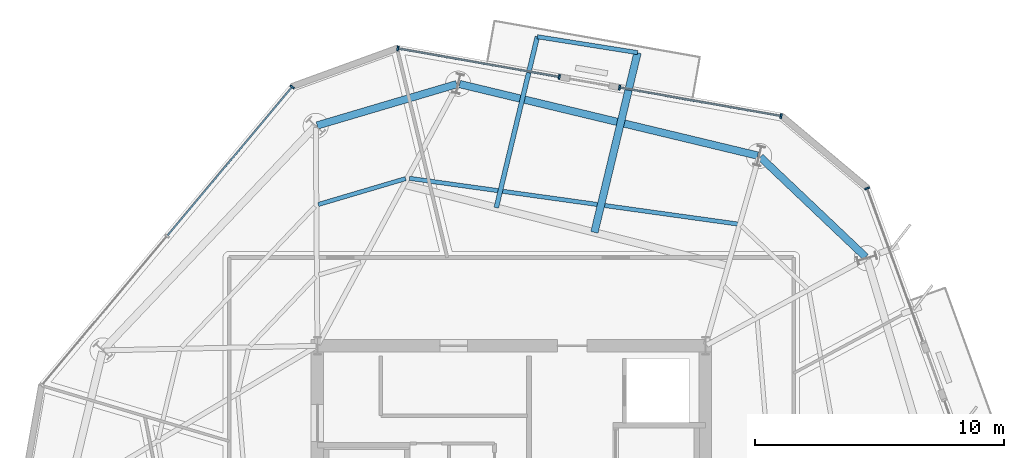
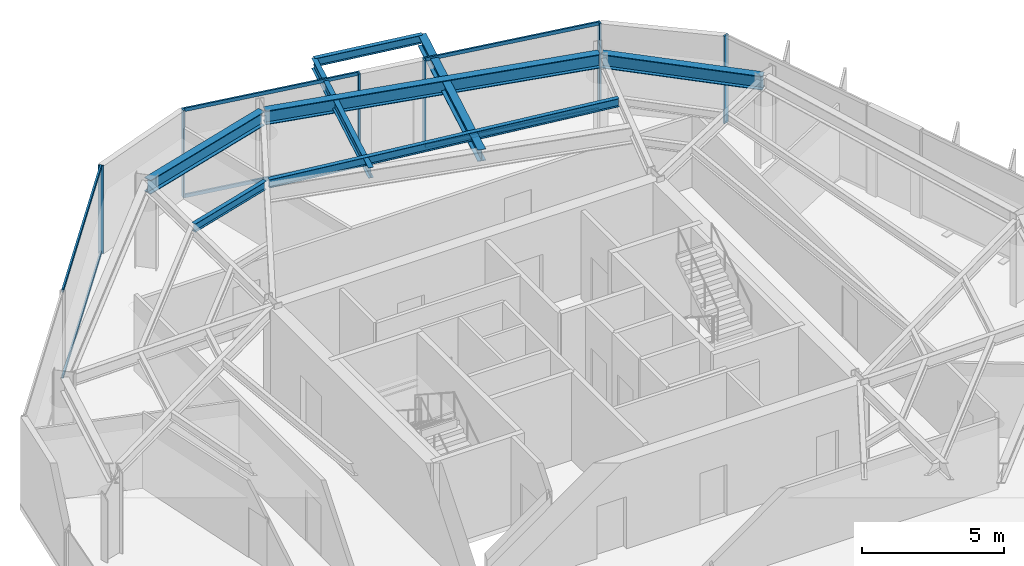
# One storey, part 5 of 11: 12 members, 8 beams, 4 elements without a shape of their own.
"""IFC4 building model written with IfcOpenShell, lengths in metres."""

from ifc_helpers import new_model, si_unit, direction, frame, origin, origin_2d, place, context, subcontext, project, spatial, rectangle, i_section, extrude, material, layer, layer_set, material_profile, profile_set, type_object, element, aggregate, save


model = new_model("IFC4")

# Units and contexts
model_context = context("Model", 3, precision=1e-05, world=origin(), true_north=direction((0.0, 1.0)))
body_context = subcontext(model_context, "Body", "Model", "MODEL_VIEW")
ifc_project = project(units=[si_unit("LENGTHUNIT", "METRE"), si_unit("AREAUNIT", "SQUARE_METRE"), si_unit("VOLUMEUNIT", "CUBIC_METRE"), si_unit("PLANEANGLEUNIT", "RADIAN"), si_unit("MASSUNIT", "GRAM", prefix="KILO")], contexts=[model_context])

# Site, building, storey
site_placement = place(None, origin())
site = spatial("IfcSite", under=ifc_project, at=site_placement, CompositionType="ELEMENT")
building_placement = place(site_placement, origin())
building = spatial("IfcBuilding", under=site, at=building_placement, Name="Kranzbogen Civic Tower", CompositionType="ELEMENT")
storey_placement = place(building_placement, frame((0.0, 0.0, 224.800048828125)))
storey = spatial("IfcBuildingStorey", under=building, at=storey_placement, Name="L54", CompositionType="ELEMENT", Elevation=224.800048828125)

# Beam
ifc_material_1 = material(Name="Steel S355", Category="steel")
ifc_material_profile_1 = material_profile(ifc_material_1, i_section(OverallWidth=0.18994140625, OverallDepth=0.449951171875, WebThickness=0.009521484375, FlangeThickness=0.0146484375, at=origin_2d()), Name="IPE 450")
ifc_profile_set_1 = profile_set([ifc_material_profile_1], Name="Steel S355")
beam_type_1 = type_object("IfcBeamType", Name="Braced Terrace Edge Beam IPE 450", PredefinedType="BEAM", material=ifc_profile_set_1)
beam_1_placement = place(storey_placement, frame((24.39306640625, 37.75390625, 3.52490234375), z_axis=(0.233359892352, 0.972390436317, 0.0), x_axis=(-0.972390436317, 0.233359892352, 0.0)))
element("IfcBeam", 1, at=beam_1_placement, inside=storey, type_object=beam_type_1, Name="L55 back-spanned terrace beam L55-TB2-2", PredefinedType="BEAM", context=body_context, shape_type="SweptSolid", body=[
    extrude(i_section(OverallWidth=0.18994140625, OverallDepth=0.449951171875, WebThickness=0.009521484375, FlangeThickness=0.0146484375, at=origin_2d()), origin(), (0.0, 0.0, 1.0), 7.0703125),
])

# Curtain wall, members
ifc_material_2 = material(Name="Pale Anodised Aluminium", Category="aluminium")
ifc_layer = layer(ifc_material_2, 0.219970703125, Name="Pale Anodised Aluminium")
ifc_layer_set = layer_set([ifc_layer], Name="Pale Anodised Aluminium")
curtain_wall_type = type_object("IfcCurtainWallType", Name="Zone 3 Stick Curtain Wall System CW-04", PredefinedType="USERDEFINED", material=ifc_layer_set)
curtain_wall_1_placement = place(storey_placement, origin())
curtain_wall_1 = element("IfcCurtainWall", 2, at=curtain_wall_1_placement, inside=storey, type_object=curtain_wall_type, Name="L54 curtain wall CW-L54-F1-S1", ObjectType="STICK CURTAIN WALL", PredefinedType="USERDEFINED")
ifc_material_profile_2 = material_profile(ifc_material_2, rectangle(XDim=0.070068359375, YDim=0.199951171875, at=origin_2d()), Name="ALU-M 70x200")
ifc_profile_set_2 = profile_set([ifc_material_profile_2], Name="Pale Anodised Aluminium")
member_type_1 = type_object("IfcMemberType", Name="Curtain Wall Mullion ALU-M 70x200", PredefinedType="MULLION", material=ifc_profile_set_2)
member_1_placement = place(storey_placement, frame((35.843505859375, 41.438232421875, 0.0), z_axis=(0.0, 0.0, 1.0), x_axis=(-0.984798681851, 0.173699614926, 0.0)))
member_1 = element("IfcMember", 3, at=member_1_placement, type_object=member_type_1, Name="CW-04 mullion 1", PredefinedType="MULLION", context=body_context, shape_type="SweptSolid", body=[
    extrude(rectangle(XDim=0.070068359375, YDim=0.199951171875, at=origin_2d()), origin(), (0.0, 0.0, 1.0), 3.780029296875),
])
member_2_placement = place(storey_placement, frame((29.3486328125, 42.583740234375, 0.0), z_axis=(0.0, 0.0, 1.0), x_axis=(-0.984798681851, 0.173699614926, 0.0)))
member_2 = element("IfcMember", 4, at=member_2_placement, type_object=member_type_1, Name="CW-04 mullion 2", PredefinedType="MULLION", context=body_context, shape_type="SweptSolid", body=[
    extrude(rectangle(XDim=0.070068359375, YDim=0.199951171875, at=origin_2d()), origin(), (0.0, 0.0, 1.0), 3.780029296875),
])

curtain_wall_2_placement = place(storey_placement, origin())
curtain_wall_2 = element("IfcCurtainWall", 5, at=curtain_wall_2_placement, inside=storey, type_object=curtain_wall_type, Name="L54 curtain wall CW-L54-F1-S2", ObjectType="STICK CURTAIN WALL", PredefinedType="USERDEFINED")
member_3_placement = place(storey_placement, frame((26.926513671875, 43.01123046875, 0.0), z_axis=(0.0, 0.0, 1.0), x_axis=(-0.984815318792, 0.173605264532, 0.0)))
member_3 = element("IfcMember", 6, at=member_3_placement, type_object=member_type_1, Name="CW-04 mullion 1", PredefinedType="MULLION", context=body_context, shape_type="SweptSolid", body=[
    extrude(rectangle(XDim=0.070068359375, YDim=0.199951171875, at=origin_2d()), origin(), (0.0, 0.0, 1.0), 3.780029296875),
])
member_4_placement = place(storey_placement, frame((20.43359375, 44.15576171875, 0.0), z_axis=(0.0, 0.0, 1.0), x_axis=(-0.984815318792, 0.173605264532, 0.0)))
member_4 = element("IfcMember", 7, at=member_4_placement, type_object=member_type_1, Name="CW-04 mullion 2", PredefinedType="MULLION", context=body_context, shape_type="SweptSolid", body=[
    extrude(rectangle(XDim=0.070068359375, YDim=0.199951171875, at=origin_2d()), origin(), (0.0, 0.0, 1.0), 3.780029296875),
])

# Curtain wall, member
curtain_wall_3_placement = place(storey_placement, origin())
curtain_wall_3 = element("IfcCurtainWall", 8, at=curtain_wall_3_placement, inside=storey, type_object=curtain_wall_type, Name="L54 curtain wall CW-L54-F2", ObjectType="STICK CURTAIN WALL", PredefinedType="USERDEFINED")
member_5_placement = place(storey_placement, frame((16.184814453125, 42.610107421875, 0.0), z_axis=(0.0, 0.0, 1.0), x_axis=(-0.642754513529, -0.766072212874, 0.0)))
member_5 = element("IfcMember", 9, at=member_5_placement, type_object=member_type_1, Name="CW-04 mullion 1", PredefinedType="MULLION", context=body_context, shape_type="SweptSolid", body=[
    extrude(rectangle(XDim=0.070068359375, YDim=0.199951171875, at=origin_2d()), origin(), (0.0, 0.0, 1.0), 3.780029296875),
])

curtain_wall_4_placement = place(storey_placement, origin())
curtain_wall_4 = element("IfcCurtainWall", 10, at=curtain_wall_4_placement, inside=storey, type_object=curtain_wall_type, Name="L54 curtain wall CW-L54-F6-S2", ObjectType="STICK CURTAIN WALL", PredefinedType="USERDEFINED")
member_6_placement = place(storey_placement, frame((39.30517578125, 38.53271484375, 0.0), z_axis=(0.0, 0.0, 1.0), x_axis=(-0.342080939887, 0.93967049042, 0.0)))
member_6 = element("IfcMember", 11, at=member_6_placement, type_object=member_type_1, Name="CW-04 mullion 2", PredefinedType="MULLION", context=body_context, shape_type="SweptSolid", body=[
    extrude(rectangle(XDim=0.070068359375, YDim=0.199951171875, at=origin_2d()), origin(), (0.0, 0.0, 1.0), 3.780029296875),
])
aggregate(curtain_wall_4, [member_6])

# Member
ifc_material_profile_3 = material_profile(ifc_material_2, rectangle(XDim=0.070068359375, YDim=0.14990234375, at=origin_2d()), Name="ALU-T 70x150")
ifc_profile_set_3 = profile_set([ifc_material_profile_3], Name="Pale Anodised Aluminium")
member_type_2 = type_object("IfcMemberType", Name="Curtain Wall Transom ALU-T 70x150", PredefinedType="USERDEFINED", material=ifc_profile_set_3)
member_7_placement = place(storey_placement, frame((35.81396484375, 41.443359375, 0.030029296875), z_axis=(-0.984795967208, 0.173715005027, 0.0), x_axis=(-0.173715005027, -0.984795967208, 0.0)))
member_7 = element("IfcMember", 12, at=member_7_placement, type_object=member_type_2, Name="CW-04 transom 1.1", ObjectType="TRANSOM", PredefinedType="USERDEFINED", context=body_context, shape_type="SweptSolid", body=[
    extrude(rectangle(XDim=0.070068359375, YDim=0.14990234375, at=origin_2d()), origin(), (0.0, 0.0, 1.0), 6.53515625),
])

member_8_placement = place(storey_placement, frame((35.81396484375, 41.443359375, 3.75), z_axis=(-0.984795967208, 0.173715005027, 0.0), x_axis=(-0.173715005027, -0.984795967208, 0.0)))
member_8 = element("IfcMember", 13, at=member_8_placement, type_object=member_type_2, Name="CW-04 transom 1.2", ObjectType="TRANSOM", PredefinedType="USERDEFINED", context=body_context, shape_type="SweptSolid", body=[
    extrude(rectangle(XDim=0.070068359375, YDim=0.14990234375, at=origin_2d()), origin(), (0.0, 0.0, 1.0), 6.53515625),
])

aggregate(curtain_wall_1, [member_1, member_2, member_7, member_8])

member_9_placement = place(storey_placement, frame((26.89697265625, 43.016357421875, 0.030029296875), z_axis=(-0.984812513183, 0.17362117923, 0.0), x_axis=(-0.17362117923, -0.984812513183, 0.0)))
member_9 = element("IfcMember", 14, at=member_9_placement, type_object=member_type_2, Name="CW-04 transom 1.1", ObjectType="TRANSOM", PredefinedType="USERDEFINED", context=body_context, shape_type="SweptSolid", body=[
    extrude(rectangle(XDim=0.070068359375, YDim=0.14990234375, at=origin_2d()), origin(), (0.0, 0.0, 1.0), 6.532958984375),
])

member_10_placement = place(storey_placement, frame((26.89697265625, 43.016357421875, 3.75), z_axis=(-0.984812513183, 0.17362117923, 0.0), x_axis=(-0.17362117923, -0.984812513183, 0.0)))
member_10 = element("IfcMember", 15, at=member_10_placement, type_object=member_type_2, Name="CW-04 transom 1.2", ObjectType="TRANSOM", PredefinedType="USERDEFINED", context=body_context, shape_type="SweptSolid", body=[
    extrude(rectangle(XDim=0.070068359375, YDim=0.14990234375, at=origin_2d()), origin(), (0.0, 0.0, 1.0), 6.532958984375),
])

aggregate(curtain_wall_2, [member_3, member_4, member_9, member_10])

member_11_placement = place(storey_placement, frame((16.16552734375, 42.5869140625, 0.030029296875), z_axis=(-0.642763507001, -0.766064667028, 0.0), x_axis=(0.766064667028, -0.642763507001, 0.0)))
member_11 = element("IfcMember", 16, at=member_11_placement, type_object=member_type_2, Name="CW-04 transom 1.1", ObjectType="TRANSOM", PredefinedType="USERDEFINED", context=body_context, shape_type="SweptSolid", body=[
    extrude(rectangle(XDim=0.070068359375, YDim=0.14990234375, at=origin_2d()), origin(), (0.0, 0.0, 1.0), 7.763671875),
])

member_12_placement = place(storey_placement, frame((16.16552734375, 42.5869140625, 3.75), z_axis=(-0.642763507001, -0.766064667028, 0.0), x_axis=(0.766064667028, -0.642763507001, 0.0)))
member_12 = element("IfcMember", 17, at=member_12_placement, type_object=member_type_2, Name="CW-04 transom 1.2", ObjectType="TRANSOM", PredefinedType="USERDEFINED", context=body_context, shape_type="SweptSolid", body=[
    extrude(rectangle(XDim=0.070068359375, YDim=0.14990234375, at=origin_2d()), origin(), (0.0, 0.0, 1.0), 7.763671875),
])

aggregate(curtain_wall_3, [member_5, member_11, member_12])

# Beams
ifc_material_profile_4 = material_profile(ifc_material_1, i_section(OverallWidth=0.300048828125, OverallDepth=0.5, WebThickness=0.014404296875, FlangeThickness=0.028076171875, at=origin_2d()), Name="HEB 500")
ifc_profile_set_4 = profile_set([ifc_material_profile_4], Name="Steel S355")
beam_type_2 = type_object("IfcBeamType", Name="Perimeter Tube Spandrel Beam HEB 500", PredefinedType="SPANDREL", material=ifc_profile_set_4)
beam_2_placement = place(storey_placement, frame((28.337890625, 36.760986328125, 3.5), z_axis=(0.233391583111, 0.972382830439, 0.0), x_axis=(-0.972382830439, 0.233391583111, 0.0)))
element("IfcBeam", 18, at=beam_2_placement, inside=storey, type_object=beam_type_2, Name="L55 back-spanned terrace beam L55-TB2-1", PredefinedType="SPANDREL", context=body_context, shape_type="SweptSolid", body=[
    extrude(i_section(OverallWidth=0.300048828125, OverallDepth=0.5, WebThickness=0.014404296875, FlangeThickness=0.028076171875, at=origin_2d()), origin(), (0.0, 0.0, 1.0), 7.434326171875),
])
ifc_material_profile_5 = material_profile(ifc_material_1, i_section(OverallWidth=0.300048828125, OverallDepth=0.60009765625, WebThickness=0.015380859375, FlangeThickness=0.030029296875, at=origin_2d()), Name="HEB 600")
ifc_profile_set_5 = profile_set([ifc_material_profile_5], Name="Steel S355")
beam_type_3 = type_object("IfcBeamType", Name="Perimeter Tube Spandrel Beam HEB 600", PredefinedType="SPANDREL", material=ifc_profile_set_5)
beam_3_placement = place(storey_placement, frame((39.2490234375, 35.764892578125, 3.47998046875), z_axis=(-0.725245206788, 0.688490660816, 0.0), x_axis=(-0.688490660816, -0.725245206788, 0.0)))
element("IfcBeam", 19, at=beam_3_placement, inside=storey, type_object=beam_type_3, Name="L54 perimeter spandrel beam 07", PredefinedType="SPANDREL", context=body_context, shape_type="SweptSolid", body=[
    extrude(i_section(OverallWidth=0.300048828125, OverallDepth=0.60009765625, WebThickness=0.015380859375, FlangeThickness=0.030029296875, at=origin_2d()), origin(), (0.0, 0.0, 1.0), 5.85205078125),
])
beam_4_placement = place(storey_placement, frame((34.903076171875, 39.84912109375, 3.47998046875), z_axis=(-0.972377592092, 0.233413406637, 0.0), x_axis=(-0.233413406637, -0.972377592092, 0.0)))
element("IfcBeam", 20, at=beam_4_placement, inside=storey, type_object=beam_type_3, Name="L54 perimeter spandrel beam 08", PredefinedType="SPANDREL", context=body_context, shape_type="SweptSolid", body=[
    extrude(i_section(OverallWidth=0.300048828125, OverallDepth=0.60009765625, WebThickness=0.015380859375, FlangeThickness=0.030029296875, at=origin_2d()), origin(), (0.0, 0.0, 1.0), 12.32568359375),
])
beam_5_placement = place(storey_placement, frame((22.802001953125, 42.722900390625, 3.47998046875), z_axis=(-0.9588296723, -0.283981794341, 0.0), x_axis=(0.283981794341, -0.9588296723, 0.0)))
element("IfcBeam", 21, at=beam_5_placement, inside=storey, type_object=beam_type_3, Name="L54 perimeter spandrel beam 09", PredefinedType="SPANDREL", context=body_context, shape_type="SweptSolid", body=[
    extrude(i_section(OverallWidth=0.300048828125, OverallDepth=0.60009765625, WebThickness=0.015380859375, FlangeThickness=0.030029296875, at=origin_2d()), origin(), (0.0, 0.0, 1.0), 5.85205078125),
])
ifc_material_profile_6 = material_profile(ifc_material_1, i_section(OverallWidth=0.169921875, OverallDepth=0.360107421875, WebThickness=0.008056640625, FlangeThickness=0.0126953125, at=origin_2d()), Name="IPE 360")
ifc_profile_set_6 = profile_set([ifc_material_profile_6], Name="Steel S355")
beam_type_4 = type_object("IfcBeamType", Name="Secondary Composite Floor Joist IPE 360", PredefinedType="JOIST", material=ifc_profile_set_6)
beam_6_placement = place(storey_placement, frame((34.10400390625, 37.096923828125, 3.599853515625), z_axis=(-0.990445837232, 0.137902296968, 0.0), x_axis=(-0.137902296968, -0.990445837232, 0.0)))
element("IfcBeam", 22, at=beam_6_placement, inside=storey, type_object=beam_type_4, Name="L54 secondary floor joist 1.08", PredefinedType="JOIST", context=body_context, shape_type="SweptSolid", body=[
    extrude(i_section(OverallWidth=0.169921875, OverallDepth=0.360107421875, WebThickness=0.008056640625, FlangeThickness=0.0126953125, at=origin_2d()), origin(), (0.0, 0.0, 1.0), 13.329345703125),
])
beam_7_placement = place(storey_placement, frame((20.74609375, 38.923095703125, 3.599853515625), z_axis=(-0.958843823165, -0.283934011309, 0.0), x_axis=(0.283934011309, -0.958843823165, 0.0)))
element("IfcBeam", 23, at=beam_7_placement, inside=storey, type_object=beam_type_4, Name="L54 secondary floor joist 1.09", PredefinedType="JOIST", context=body_context, shape_type="SweptSolid", body=[
    extrude(i_section(OverallWidth=0.169921875, OverallDepth=0.360107421875, WebThickness=0.008056640625, FlangeThickness=0.0126953125, at=origin_2d()), origin(), (0.0, 0.0, 1.0), 3.662841796875),
])
beam_8_placement = place(storey_placement, frame((30.072998046875, 43.989990234375, 3.570068359375), z_axis=(-0.987664773447, 0.156583189684, 0.0), x_axis=(-0.156583189684, -0.987664773447, 0.0)))
element("IfcBeam", 24, at=beam_8_placement, inside=storey, type_object=beam_type_4, Name="L55 terrace outer edge trimmer L55-TB2", PredefinedType="JOIST", context=body_context, shape_type="SweptSolid", body=[
    extrude(i_section(OverallWidth=0.169921875, OverallDepth=0.360107421875, WebThickness=0.008056640625, FlangeThickness=0.0126953125, at=origin_2d()), origin(), (0.0, 0.0, 1.0), 4.080322265625),
])

save(model, "model.ifc")
